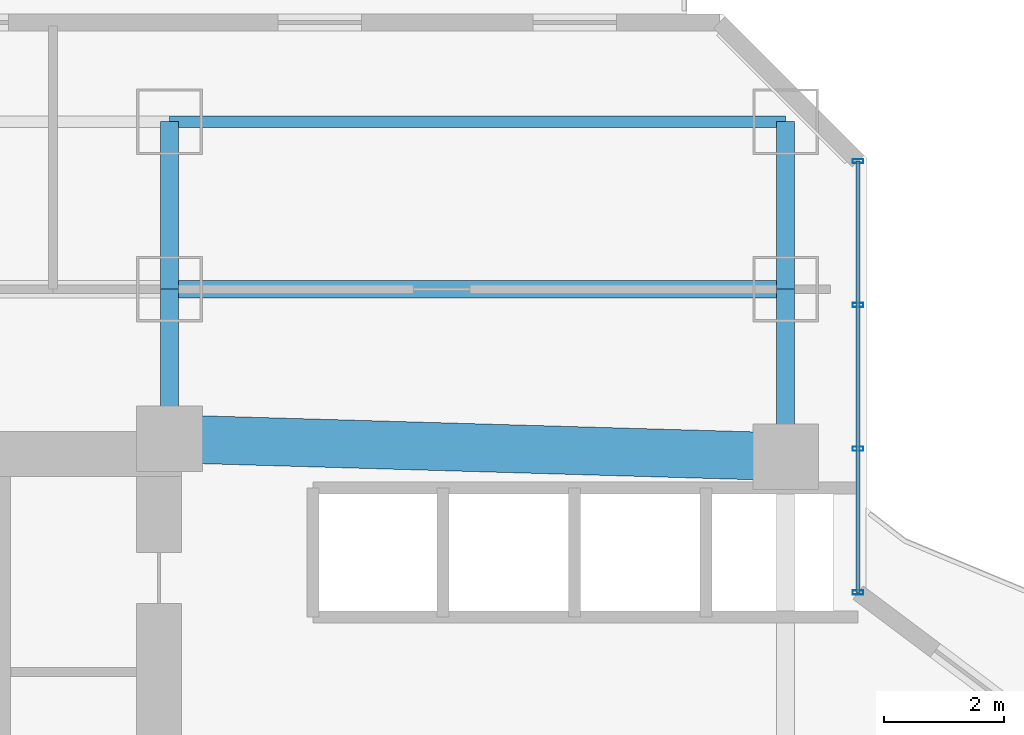
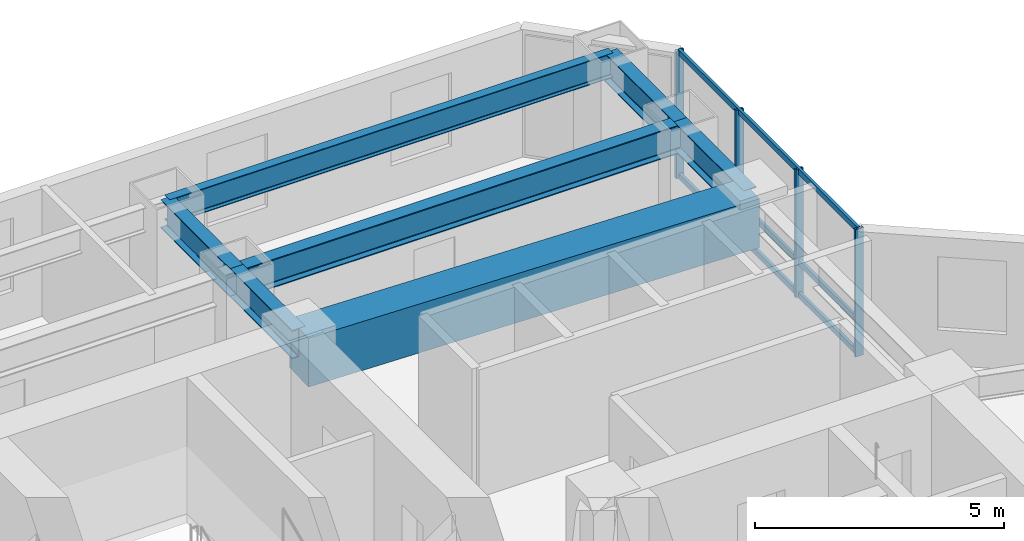
# One storey, part 18 of 32: 7 beams, 7 members, 1 element without a shape of its own.
"""IFC4 building model written with IfcOpenShell, lengths in metres."""

from ifc_helpers import new_model, si_unit, direction, frame, origin, origin_2d, place, context, subcontext, project, spatial, rectangle, hollow_rectangle, i_section, extrude, material, layer, layer_set, material_profile, profile_set, type_object, element, aggregate, save


model = new_model("IFC4")

# Units and contexts
model_context = context("Model", 3, precision=1e-05, world=origin(), true_north=direction((0.0, 1.0)))
body_context = subcontext(model_context, "Body", "Model", "MODEL_VIEW")
ifc_project = project(units=[si_unit("LENGTHUNIT", "METRE"), si_unit("AREAUNIT", "SQUARE_METRE"), si_unit("VOLUMEUNIT", "CUBIC_METRE"), si_unit("PLANEANGLEUNIT", "RADIAN"), si_unit("MASSUNIT", "GRAM", prefix="KILO")], contexts=[model_context])

# Site, building, storey
site_placement = place(None, origin())
site = spatial("IfcSite", under=ifc_project, at=site_placement, CompositionType="ELEMENT")
building_placement = place(site_placement, origin())
building = spatial("IfcBuilding", under=site, at=building_placement, Name="Hatsunagi Terrace Concourse", CompositionType="ELEMENT")
storey_placement = place(building_placement, frame((0.0, 0.0, 46.64990234375)))
storey = spatial("IfcBuildingStorey", under=building, at=storey_placement, Name="L11", CompositionType="ELEMENT", Elevation=46.64990234375)

# Beam
ifc_material_1 = material(Name="Concrete Fc60", Category="concrete")
ifc_material_profile_1 = material_profile(ifc_material_1, rectangle(XDim=0.800048828125, YDim=1.199951171875, at=origin_2d()), Name="RC-800x1200")
ifc_profile_set_1 = profile_set([ifc_material_profile_1], Name="Concrete Fc60")
beam_type_1 = type_object("IfcBeamType", Name="CoreCouplingBeam_RC_800x1200", PredefinedType="BEAM", material=ifc_profile_set_1)
beam_1_placement = place(storey_placement, frame((33.35009765625, 43.300048828125, 2.530029296875), z_axis=(0.999575947545, -0.029119153303, 0.0), x_axis=(0.029119153303, 0.999575947545, 0.0)))
element("IfcBeam", 1, at=beam_1_placement, inside=storey, type_object=beam_type_1, Name="Beam CB-01 CB-L11-2", PredefinedType="BEAM", context=body_context, shape_type="SweptSolid", body=[
    extrude(rectangle(XDim=0.800048828125, YDim=1.199951171875, at=origin_2d()), origin(), (0.0, 0.0, 1.0), 10.30419921875),
])

# Curtain wall, members
ifc_material_2 = material(Name="Anodised Aluminium Alloy 6063-T5", Category="aluminium")
ifc_layer = layer(ifc_material_2, 0.199951171875)
ifc_layer_set = layer_set([ifc_layer], Name="HotelFacade_CW02")
curtain_wall_type = type_object("IfcCurtainWallType", Name="HotelFacade_CW02", PredefinedType="NOTDEFINED", material=ifc_layer_set)
curtain_wall_placement = place(storey_placement, origin())
curtain_wall = element("IfcCurtainWall", 2, at=curtain_wall_placement, inside=storey, type_object=curtain_wall_type, Name="Unitised Curtain Wall CW-02 CW-L11-13", PredefinedType="NOTDEFINED")
ifc_material_3 = material(Name="Anodised Aluminium Alloy 6063-T5", Category="aluminium")
ifc_material_profile_2 = material_profile(ifc_material_3, hollow_rectangle(XDim=0.070068359375, YDim=0.179931640625, WallThickness=0.00390625, at=origin_2d()), Name="ALU-MUL-180x70x4")
ifc_profile_set_2 = profile_set([ifc_material_profile_2], Name="Anodised Aluminium Alloy 6063-T5")
member_type_1 = type_object("IfcMemberType", Name="CurtainWallMullion_180x70", PredefinedType="MULLION", material=ifc_profile_set_2)
member_1_placement = place(storey_placement, frame((44.860107421875, 47.94189453125, 0.0), z_axis=(0.0, 0.0, 1.0), x_axis=(0.0, -1.0, 0.0)))
member_1 = element("IfcMember", 3, at=member_1_placement, type_object=member_type_1, Name="Curtain Wall Mullion MUL-02", PredefinedType="MULLION", context=body_context, shape_type="SweptSolid", body=[
    extrude(hollow_rectangle(XDim=0.070068359375, YDim=0.179931640625, WallThickness=0.00390625, at=origin_2d()), origin(), (0.0, 0.0, 1.0), 3.130126953125),
])
member_2_placement = place(storey_placement, frame((44.860107421875, 45.5380859375, 0.0), z_axis=(0.0, 0.0, 1.0), x_axis=(0.0, -1.0, 0.0)))
member_2 = element("IfcMember", 4, at=member_2_placement, type_object=member_type_1, Name="Curtain Wall Mullion MUL-02", PredefinedType="MULLION", context=body_context, shape_type="SweptSolid", body=[
    extrude(hollow_rectangle(XDim=0.070068359375, YDim=0.179931640625, WallThickness=0.00390625, at=origin_2d()), origin(), (0.0, 0.0, 1.0), 3.130126953125),
])
member_3_placement = place(storey_placement, frame((44.860107421875, 43.134033203125, 0.0), z_axis=(0.0, 0.0, 1.0), x_axis=(0.0, -1.0, 0.0)))
member_3 = element("IfcMember", 5, at=member_3_placement, type_object=member_type_1, Name="Curtain Wall Mullion MUL-02", PredefinedType="MULLION", context=body_context, shape_type="SweptSolid", body=[
    extrude(hollow_rectangle(XDim=0.070068359375, YDim=0.179931640625, WallThickness=0.00390625, at=origin_2d()), origin(), (0.0, 0.0, 1.0), 3.130126953125),
])
member_4_placement = place(storey_placement, frame((44.860107421875, 40.72998046875, 0.0), z_axis=(0.0, 0.0, 1.0), x_axis=(0.0, -1.0, 0.0)))
member_4 = element("IfcMember", 6, at=member_4_placement, type_object=member_type_1, Name="Curtain Wall Mullion MUL-02", PredefinedType="MULLION", context=body_context, shape_type="SweptSolid", body=[
    extrude(hollow_rectangle(XDim=0.070068359375, YDim=0.179931640625, WallThickness=0.00390625, at=origin_2d()), origin(), (0.0, 0.0, 1.0), 3.130126953125),
])
ifc_material_4 = material(Name="Anodised Aluminium Alloy 6063-T5", Category="aluminium")
ifc_material_profile_3 = material_profile(ifc_material_4, hollow_rectangle(XDim=0.06494140625, YDim=0.139892578125, WallThickness=0.00390625, at=origin_2d()), Name="ALU-TRN-140x65x4")
ifc_profile_set_3 = profile_set([ifc_material_profile_3], Name="Anodised Aluminium Alloy 6063-T5")
member_type_2 = type_object("IfcMemberType", Name="CurtainWallTransom_140x65", PredefinedType="USERDEFINED", material=ifc_profile_set_3)
member_5_placement = place(storey_placement, frame((44.860107421875, 47.94189453125, 0.050048828125), z_axis=(0.0, -1.0, 0.0), x_axis=(1.0, 0.0, 0.0)))
member_5 = element("IfcMember", 7, at=member_5_placement, type_object=member_type_2, Name="Curtain Wall Transom TRN-02", ObjectType="TRANSOM", PredefinedType="USERDEFINED", context=body_context, shape_type="SweptSolid", body=[
    extrude(hollow_rectangle(XDim=0.06494140625, YDim=0.139892578125, WallThickness=0.00390625, at=origin_2d()), origin(), (0.0, 0.0, 1.0), 7.2119140625),
])
member_6_placement = place(storey_placement, frame((44.860107421875, 47.94189453125, 0.85009765625), z_axis=(0.0, -1.0, 0.0), x_axis=(1.0, 0.0, 0.0)))
member_6 = element("IfcMember", 8, at=member_6_placement, type_object=member_type_2, Name="Curtain Wall Transom TRN-02", ObjectType="TRANSOM", PredefinedType="USERDEFINED", context=body_context, shape_type="SweptSolid", body=[
    extrude(hollow_rectangle(XDim=0.06494140625, YDim=0.139892578125, WallThickness=0.00390625, at=origin_2d()), origin(), (0.0, 0.0, 1.0), 7.2119140625),
])
member_7_placement = place(storey_placement, frame((44.860107421875, 47.94189453125, 3.080078125), z_axis=(0.0, -1.0, 0.0), x_axis=(1.0, 0.0, 0.0)))
member_7 = element("IfcMember", 9, at=member_7_placement, type_object=member_type_2, Name="Curtain Wall Transom TRN-02", ObjectType="TRANSOM", PredefinedType="USERDEFINED", context=body_context, shape_type="SweptSolid", body=[
    extrude(hollow_rectangle(XDim=0.06494140625, YDim=0.139892578125, WallThickness=0.00390625, at=origin_2d()), origin(), (0.0, 0.0, 1.0), 7.2119140625),
])
aggregate(curtain_wall, [member_1, member_2, member_3, member_4, member_5, member_6, member_7])

# Beams
ifc_material_5 = material(Name="Steel SN490B", Category="steel")
ifc_material_profile_4 = material_profile(ifc_material_5, i_section(OverallWidth=0.300048828125, OverallDepth=0.699951171875, WebThickness=0.012939453125, FlangeThickness=0.02392578125, FilletRadius=0.02197265625, at=origin_2d()), Name="H-700x300x13x24")
ifc_profile_set_4 = profile_set([ifc_material_profile_4], Name="Steel SN490B")
beam_type_2 = type_object("IfcBeamType", Name="HotelFloorGirder_H_700x300", PredefinedType="BEAM", material=ifc_profile_set_4)
beam_2_placement = place(storey_placement, frame((33.35009765625, 43.300048828125, 2.780029296875), z_axis=(0.0, 1.0, 0.0), x_axis=(-1.0, 0.0, 0.0)))
element("IfcBeam", 10, at=beam_2_placement, inside=storey, type_object=beam_type_2, Name="Beam G-04 BM-L11-CN2", PredefinedType="BEAM", context=body_context, shape_type="SweptSolid", body=[
    extrude(i_section(OverallWidth=0.300048828125, OverallDepth=0.699951171875, WebThickness=0.012939453125, FlangeThickness=0.02392578125, FilletRadius=0.02197265625, at=origin_2d()), origin(), (0.0, 0.0, 1.0), 2.5),
])
beam_3_placement = place(storey_placement, frame((43.64990234375, 43.0, 2.780029296875), z_axis=(0.0, 1.0, 0.0), x_axis=(-1.0, 0.0, 0.0)))
element("IfcBeam", 11, at=beam_3_placement, inside=storey, type_object=beam_type_2, Name="Beam G-04 BM-L11-CN3", PredefinedType="BEAM", context=body_context, shape_type="SweptSolid", body=[
    extrude(i_section(OverallWidth=0.300048828125, OverallDepth=0.699951171875, WebThickness=0.012939453125, FlangeThickness=0.02392578125, FilletRadius=0.02197265625, at=origin_2d()), origin(), (0.0, 0.0, 1.0), 2.800048828125),
])
beam_4_placement = place(storey_placement, frame((33.35009765625, 45.800048828125, 2.780029296875), z_axis=(1.0, 0.0, 0.0), x_axis=(0.0, 1.0, 0.0)))
element("IfcBeam", 12, at=beam_4_placement, inside=storey, type_object=beam_type_2, Name="Beam G-04 BM-L11-CNEW2", PredefinedType="BEAM", context=body_context, shape_type="SweptSolid", body=[
    extrude(i_section(OverallWidth=0.300048828125, OverallDepth=0.699951171875, WebThickness=0.012939453125, FlangeThickness=0.02392578125, FilletRadius=0.02197265625, at=origin_2d()), origin(), (0.0, 0.0, 1.0), 10.2998046875),
])
for number, where, z_axis, x_axis, name in (
    (13, (33.35009765625, 45.800048828125, 2.780029296875), (0.0, 1.0, 0.0), (-1.0, 0.0, 0.0), "Beam G-04 BM-L11-KN-WN5"),
    (14, (43.64990234375, 45.800048828125, 2.780029296875), (0.0, 1.0, 0.0), (-1.0, 0.0, 0.0), "Beam G-04 BM-L11-KN-WN6"),
):
    element("IfcBeam", number, at=place(storey_placement, frame(where, z_axis=z_axis, x_axis=x_axis)), inside=storey, type_object=beam_type_2, Name=name, PredefinedType="BEAM", context=body_context, shape_type="SweptSolid", body=[
        extrude(i_section(OverallWidth=0.300048828125, OverallDepth=0.699951171875, WebThickness=0.012939453125, FlangeThickness=0.02392578125, FilletRadius=0.02197265625, at=origin_2d()), origin(), (0.0, 0.0, 1.0), 2.800048828125),
    ])
ifc_material_6 = material(Name="Steel SN490B", Category="steel")
ifc_material_profile_5 = material_profile(ifc_material_6, i_section(OverallWidth=0.199951171875, OverallDepth=0.60009765625, WebThickness=0.010986328125, FlangeThickness=0.01708984375, FilletRadius=0.01806640625, at=origin_2d()), Name="H-600x200x11x17")
ifc_profile_set_5 = profile_set([ifc_material_profile_5], Name="Steel SN490B")
beam_type_3 = type_object("IfcBeamType", Name="PerimeterSpandrel_H_600x200", PredefinedType="SPANDREL", material=ifc_profile_set_5)
beam_5_placement = place(storey_placement, frame((33.35009765625, 48.60009765625, 2.830078125), z_axis=(1.0, 0.0, 0.0), x_axis=(0.0, 1.0, 0.0)))
element("IfcBeam", 15, at=beam_5_placement, inside=storey, type_object=beam_type_3, Name="Beam SP-01 BM-L11-WN-33", PredefinedType="SPANDREL", context=body_context, shape_type="SweptSolid", body=[
    extrude(i_section(OverallWidth=0.199951171875, OverallDepth=0.60009765625, WebThickness=0.010986328125, FlangeThickness=0.01708984375, FilletRadius=0.01806640625, at=origin_2d()), origin(), (0.0, 0.0, 1.0), 10.2998046875),
])

save(model, "model.ifc")
